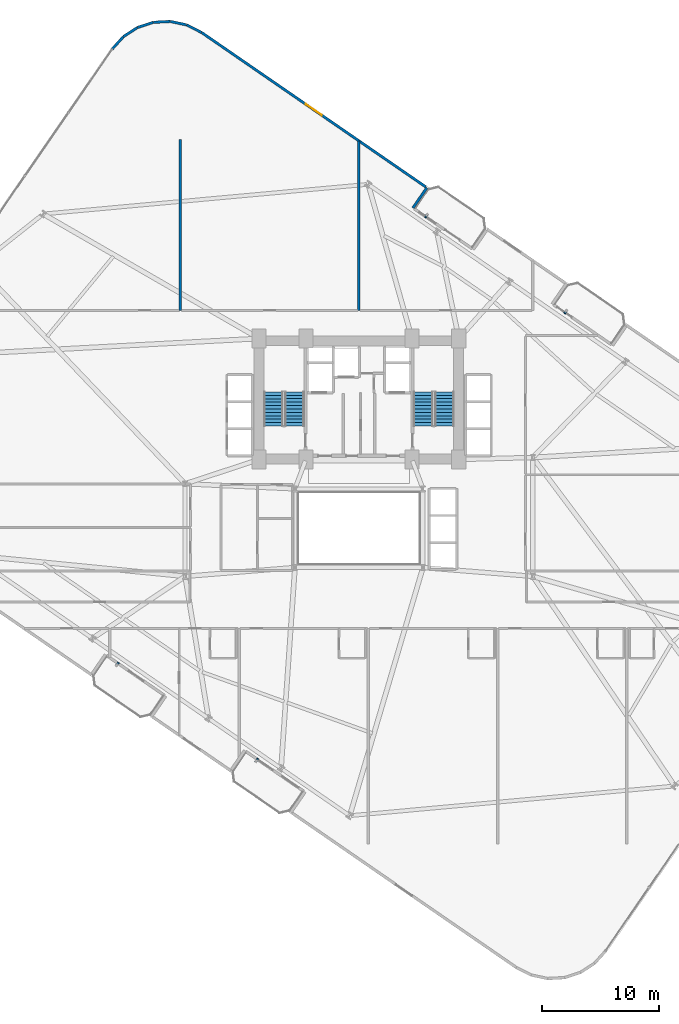
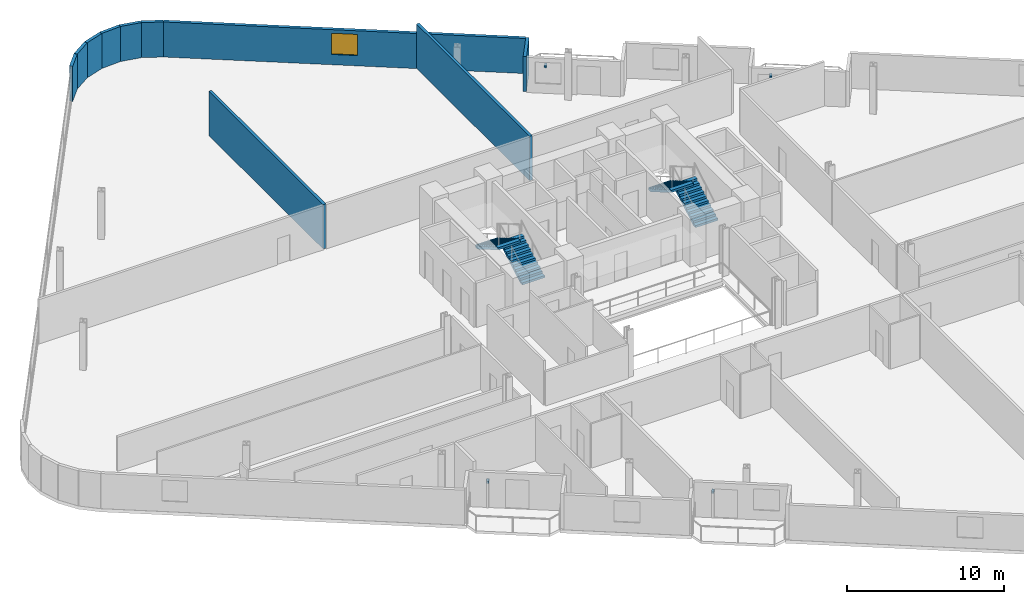
# One storey, part 21 of 24: 10 walls, 4 discrete accessories, 4 stair flights, 1 window, 1 opening, 2 elements without a shape of their own.
"""IFC4 building model written with IfcOpenShell, lengths in metres."""

import ifcopenshell
import ifcopenshell.guid

model = None  # the IFC model being written
_history = None  # IfcOwnerHistory: only IFC2X3 demands one
_inside = {}  # id of a spatial element -> (the spatial element, [elements in it])
_under = {}  # id of a project, library or spatial element -> (it, [spatial elements below it])
_declared = {}  # id of a project -> (the project, [libraries it declares])
_typed = {}  # id of a type object -> (the type object, [elements of that type])
_made_of = {}  # id of a material, layer set ... -> (it, [elements and type objects made of it])


def new_model(schema):
    """Start an empty IFC model of exactly this schema.

    Asked for "IFC4X3", IfcOpenShell would pick the latest addendum, in which some entities
    have other attributes; the version numbers below select the first issue.
    IFC2X3 requires an IfcOwnerHistory on every rooted entity: one is made here for all.
    """
    global model, _history
    if schema == "IFC4X3":
        model = ifcopenshell.file(schema_version=(4, 3, 0, 0))
    else:
        model = ifcopenshell.file(schema=schema)
    _inside.clear()
    _under.clear()
    _declared.clear()
    _typed.clear()
    _made_of.clear()
    _history = None
    if model.schema == "IFC2X3":
        org = make("IfcOrganization", Name="unknown")
        user = make(
            "IfcPersonAndOrganization",
            ThePerson=make("IfcPerson", FamilyName="unknown"),
            TheOrganization=org,
        )
        app = make(
            "IfcApplication",
            ApplicationDeveloper=org,
            Version="unknown",
            ApplicationFullName="unknown",
            ApplicationIdentifier="unknown",
        )
        _history = make(
            "IfcOwnerHistory",
            OwningUser=user,
            OwningApplication=app,
            ChangeAction="ADDED",
            CreationDate=0,
        )
    return model


def make(cls, **values):
    """One entity of the class cls with the attributes given. An attribute that is None is left unset."""
    return model.create_entity(
        cls, **{name: value for name, value in values.items() if value is not None}
    )


def rooted(cls, **values):
    """An entity with a GlobalId (a new one), such as an element, a storey or a relation."""
    return make(cls, GlobalId=ifcopenshell.guid.new(), OwnerHistory=_history, **values)


def si_unit(unit_type, name, prefix=None):
    """IfcSIUnit, for example si_unit("LENGTHUNIT", "METRE", prefix="MILLI")."""
    return make("IfcSIUnit", UnitType=unit_type, Prefix=prefix, Name=name)


def assignment(units):
    """IfcUnitAssignment: the units of a project."""
    return None if units is None else make("IfcUnitAssignment", Units=units)


def point(xyz):
    """IfcCartesianPoint."""
    return None if xyz is None else make("IfcCartesianPoint", Coordinates=xyz)


def direction(xyz):
    """IfcDirection."""
    return None if xyz is None else make("IfcDirection", DirectionRatios=xyz)


def frame(location, z_axis=None, x_axis=None):
    """IfcAxis2Placement3D, a coordinate frame: its origin and axes. An axis left out is left unset."""
    return make(
        "IfcAxis2Placement3D",
        Location=point(location),
        Axis=direction(z_axis),
        RefDirection=direction(x_axis),
    )


def frame_2d(location, x_axis=None):
    """IfcAxis2Placement2D, a coordinate frame in the plane: its origin and x axis."""
    return make(
        "IfcAxis2Placement2D", Location=point(location), RefDirection=direction(x_axis)
    )


def origin():
    """The frame at (0, 0, 0) with its axes left unset."""
    return frame((0.0, 0.0, 0.0))


def origin_2d():
    """The frame at (0, 0) in the plane with its x axis left unset."""
    return frame_2d((0.0, 0.0))


def place(relative_to, where):
    """IfcLocalPlacement: puts the frame where relative to a parent placement (None: the world)."""
    return make(
        "IfcLocalPlacement", PlacementRelTo=relative_to, RelativePlacement=where
    )


def context(
    kind, dimensions, precision=None, world=None, true_north=None, identifier=None
):
    """IfcGeometricRepresentationContext, for example the 3D "Model" context."""
    return make(
        "IfcGeometricRepresentationContext",
        ContextIdentifier=identifier,
        ContextType=kind,
        CoordinateSpaceDimension=dimensions,
        Precision=precision,
        WorldCoordinateSystem=world,
        TrueNorth=true_north,
    )


def subcontext(parent, identifier, kind, view, scale=None):
    """IfcGeometricRepresentationSubContext, for example "Body" below "Model"."""
    return make(
        "IfcGeometricRepresentationSubContext",
        ContextIdentifier=identifier,
        ContextType=kind,
        ParentContext=parent,
        TargetScale=scale,
        TargetView=view,
    )


def project(units=None, contexts=None):
    """IfcProject with its units and contexts."""
    return rooted(
        "IfcProject",
        Name="project",
        RepresentationContexts=contexts,
        UnitsInContext=assignment(units),
    )


def spatial(cls, under=None, at=None, **own):
    """A site, building, storey or space (cls), placed at a placement, below another one or the project."""
    s = rooted(cls, ObjectPlacement=at, **own)
    if under is not None:
        _under.setdefault(under.id(), (under, []))[1].append(s)
    return s


def polyline(points):
    """IfcPolyline through the points."""
    return make("IfcPolyline", Points=[point(p) for p in points])


def profile(cls, at=None, kind="AREA", **sizes):
    """A parametric profile (cls). Its sizes go by their IFC names, for example OverallWidth=200.0."""
    return make(cls, ProfileType=kind, Position=at, **sizes)


def rectangle(**sizes):
    """IfcRectangleProfileDef."""
    return profile("IfcRectangleProfileDef", **sizes)


def outline(outer, holes=None, kind="AREA"):
    """IfcArbitraryClosedProfileDef: a profile drawn as a closed curve; with holes, ...WithVoids."""
    if holes is None:
        return make("IfcArbitraryClosedProfileDef", ProfileType=kind, OuterCurve=outer)
    return make(
        "IfcArbitraryProfileDefWithVoids",
        ProfileType=kind,
        OuterCurve=outer,
        InnerCurves=holes,
    )


def extrude(swept, where, along, depth):
    """IfcExtrudedAreaSolid: the profile swept, set in the frame where, extruded along a direction by depth."""
    return make(
        "IfcExtrudedAreaSolid",
        SweptArea=swept,
        Position=where,
        ExtrudedDirection=direction(along),
        Depth=depth,
    )


def shape(context_of_items, identifier, shape_type, items):
    """IfcShapeRepresentation: the items that make up one representation, for example the "Body"."""
    return make(
        "IfcShapeRepresentation",
        ContextOfItems=context_of_items,
        RepresentationIdentifier=identifier,
        RepresentationType=shape_type,
        Items=items,
    )


def source(mapping_origin, context_of_items, identifier, shape_type, items):
    """IfcRepresentationMap: a shape defined once, which mapped items show again and again."""
    return make(
        "IfcRepresentationMap",
        MappingOrigin=mapping_origin,
        MappedRepresentation=shape(context_of_items, identifier, shape_type, items),
    )


def transform(
    local_origin,
    x_axis=None,
    y_axis=None,
    z_axis=None,
    scale=None,
    scale2=None,
    scale3=None,
    uniform=True,
):
    """IfcCartesianTransformationOperator3D, or its non-uniform kind. x_axis, y_axis, z_axis: its Axis1, 2, 3."""
    if uniform:
        return make(
            "IfcCartesianTransformationOperator3D",
            Axis1=direction(x_axis),
            Axis2=direction(y_axis),
            LocalOrigin=point(local_origin),
            Scale=scale,
            Axis3=direction(z_axis),
        )
    return make(
        "IfcCartesianTransformationOperator3DnonUniform",
        Axis1=direction(x_axis),
        Axis2=direction(y_axis),
        LocalOrigin=point(local_origin),
        Scale=scale,
        Axis3=direction(z_axis),
        Scale2=scale2,
        Scale3=scale3,
    )


def mapped(mapping_source, mapping_target):
    """IfcMappedItem: shows the shape of a source again, moved by a transform."""
    return make(
        "IfcMappedItem", MappingSource=mapping_source, MappingTarget=mapping_target
    )


def material(Name=None, Category=None):
    """IfcMaterial."""
    return make("IfcMaterial", Name=Name, Category=Category)


def layer(
    of_material, thickness, ventilated=None, Name=None, Category=None, Priority=None
):
    """IfcMaterialLayer: one layer of a wall or slab, of a material (None: an air gap)."""
    return make(
        "IfcMaterialLayer",
        Material=of_material,
        LayerThickness=thickness,
        IsVentilated=ventilated,
        Name=Name,
        Category=Category,
        Priority=Priority,
    )


def layer_set(layers, Name=None):
    """IfcMaterialLayerSet."""
    return make("IfcMaterialLayerSet", MaterialLayers=layers, LayerSetName=Name)


def made_of(thing, what):
    """Note that an element or type object is made of a material, layer set ...; save() writes the relation."""
    if what is not None:
        _made_of.setdefault(what.id(), (what, []))[1].append(thing)
    return thing


def type_object(cls, material=None, **own):
    """A type object (cls), such as IfcWallType, which elements share."""
    return made_of(rooted(cls, **own), material)


def element(
    cls,
    number,
    at=None,
    inside=None,
    cuts=None,
    type_object=None,
    material=None,
    context=None,
    identifier="Body",
    shape_type=None,
    held_by="IfcProductDefinitionShape",
    body=None,
    shapes=None,
    **own,
):
    """One element of the class cls, such as IfcWall. Its Tag is "e" and its number.

    at: its placement. inside: the storey or other place that contains it. cuts: it is an
    opening in that element (IfcRelVoidsElement). A single representation is given by context,
    identifier, shape_type and body (its items); several are given by shapes. held_by: the class
    of the entity that holds the representations. save() writes the other relations.
    """
    e = rooted(cls, Tag="e%d" % number, ObjectPlacement=at, **own)
    if body is not None:
        shapes = [shape(context, identifier, shape_type, body)]
    if shapes is not None:
        e.Representation = make(held_by, Representations=shapes)
    if inside is not None:
        _inside.setdefault(inside.id(), (inside, []))[1].append(e)
    if cuts is not None:
        rooted(
            "IfcRelVoidsElement", RelatingBuildingElement=cuts, RelatedOpeningElement=e
        )
    if type_object is not None:
        _typed.setdefault(type_object.id(), (type_object, []))[1].append(e)
    return made_of(e, material)


def fill(opening, filler):
    """IfcRelFillsElement: the door or window that sits in an opening."""
    return rooted(
        "IfcRelFillsElement",
        RelatingOpeningElement=opening,
        RelatedBuildingElement=filler,
    )


def aggregate(whole, parts):
    """IfcRelAggregates: a whole, such as a stair, and the parts it consists of."""
    return rooted("IfcRelAggregates", RelatingObject=whole, RelatedObjects=parts)


def save(model, path):
    """Write the relations noted so far, then the file.

    IfcRelAggregates (storeys below a building ...), IfcRelContainedInSpatialStructure (elements
    in a storey), IfcRelDefinesByType, IfcRelAssociatesMaterial and IfcRelDeclares: one each for
    every whole, place, type object, material and project.
    """
    for whole, parts in _under.values():
        aggregate(whole, parts)
    for where, things in _inside.values():
        rooted(
            "IfcRelContainedInSpatialStructure",
            RelatedElements=things,
            RelatingStructure=where,
        )
    for kind, things in _typed.values():
        rooted("IfcRelDefinesByType", RelatedObjects=things, RelatingType=kind)
    for what, things in _made_of.values():
        rooted("IfcRelAssociatesMaterial", RelatedObjects=things, RelatingMaterial=what)
    for by, libraries in _declared.values():
        rooted("IfcRelDeclares", RelatingContext=by, RelatedDefinitions=libraries)
    model.write(path)


model = new_model("IFC4")

# Units and contexts
model_context = context("Model", 3, precision=1e-05, world=origin(), true_north=direction((0.0, 1.0)))
body_context = subcontext(model_context, "Body", "Model", "MODEL_VIEW")
ifc_project = project(units=[si_unit("LENGTHUNIT", "METRE"), si_unit("AREAUNIT", "SQUARE_METRE"), si_unit("VOLUMEUNIT", "CUBIC_METRE"), si_unit("PLANEANGLEUNIT", "RADIAN"), si_unit("MASSUNIT", "GRAM", prefix="KILO")], contexts=[model_context])

# Site, building, storey
site_placement = place(None, origin())
site = spatial("IfcSite", under=ifc_project, at=site_placement, CompositionType="ELEMENT")
building_placement = place(site_placement, origin())
building = spatial("IfcBuilding", under=site, at=building_placement, Name="Varnelok Gate Tower", CompositionType="ELEMENT")
storey_placement = place(building_placement, frame((0.0, 0.0, 41.800048828125)))
storey = spatial("IfcBuildingStorey", under=building, at=storey_placement, Name="L09", CompositionType="ELEMENT", Elevation=41.800048828125)

# Wall
ifc_material_1 = material(Name="Concrete C45/55", Category="concrete")
ifc_layer_1 = layer(ifc_material_1, 0.219970703125)
ifc_layer_set_1 = layer_set([ifc_layer_1], Name="Concrete C45/55")
wall_type_1 = type_object("IfcWallType", Name="EW-BALC-220", PredefinedType="SOLIDWALL", material=ifc_layer_set_1)
wall_1_placement = place(storey_placement, frame((43.793701171875, 50.161376953125, 0.0), z_axis=(0.0, 0.0, 1.0), x_axis=(0.567352541689, 0.823475010816, 0.0)))
element("IfcWall", 1, at=wall_1_placement, inside=storey, type_object=wall_type_1, Name="L09 Perimeter Facade Closure Wall 31", PredefinedType="SOLIDWALL", context=body_context, shape_type="SweptSolid", body=[
    extrude(rectangle(XDim=2.099853515625, YDim=0.219970703125, at=frame_2d((1.0498046875, 0.0))), origin(), (0.0, 0.0, 1.0), 2.72998046875),
])

# Wall, opening, window
wall_2_placement = place(storey_placement, frame((44.882080078125, 51.961669921875, 0.0), z_axis=(0.0, 0.0, 1.0), x_axis=(-0.823534427573, 0.567266292497, 0.0)))
wall_2 = element("IfcWall", 2, at=wall_2_placement, inside=storey, type_object=wall_type_1, Name="L09 Perimeter Facade Closure Wall 32", PredefinedType="SOLIDWALL", context=body_context, shape_type="SweptSolid", body=[
    extrude(rectangle(XDim=23.147216796875, YDim=0.219970703125, at=frame_2d((11.57373046875, 0.0))), origin(), (0.0, 0.0, 1.0), 2.72998046875),
])
opening_placement = place(wall_2_placement, frame((10.74853515625, 0.0, 0.800048828125)))
opening = element("IfcOpeningElement", 3, at=opening_placement, cuts=wall_2, Name="Opening WN3", PredefinedType="OPENING", context=body_context, shape_type="SweptSolid", body=[
    extrude(rectangle(XDim=1.64990234375, YDim=1.64990234375, at=frame_2d((0.824951171875, 0.824951171875))), frame((0.0, 0.119873046875, 0.0), z_axis=(0.0, -1.0, 0.0), x_axis=(1.0, 0.0, 0.0)), (0.0, 0.0, 1.0), 0.239990234375),
])
ifc_material_2 = material(Name="Low-E Laminated Double Glazing IGU", Category="glass")
window_type = type_object("IfcWindowType", Name="WN-HTL-1650", PartitioningType="SINGLE_PANEL", PredefinedType="WINDOW", material=ifc_material_2)
window_placement = place(opening_placement, origin())
window = element("IfcWindow", 4, at=window_placement, inside=storey, type_object=window_type, Name="L09 Perimeter Vision Window 32", OverallHeight=1.64990234375, OverallWidth=1.64990234375, PartitioningType="SINGLE_PANEL", PredefinedType="WINDOW", context=body_context, shape_type="SweptSolid", body=[
    extrude(rectangle(XDim=1.64990234375, YDim=1.64990234375, at=frame_2d((0.824951171875, 0.824951171875))), frame((0.0, 0.030029296875, 0.0), z_axis=(0.0, -1.0, 0.0), x_axis=(1.0, 0.0, 0.0)), (0.0, 0.0, 1.0), 0.06005859375),
])
fill(opening, window)

# Walls
wall_3_placement = place(storey_placement, frame((25.79736328125, 65.103759765625, 0.0), z_axis=(0.0, 0.0, 1.0), x_axis=(-0.890559109247, 0.454867533394, 0.0)))
element("IfcWall", 5, at=wall_3_placement, inside=storey, type_object=wall_type_1, Name="L09 Perimeter Facade Closure Wall 33", PredefinedType="SOLIDWALL", context=body_context, shape_type="SweptSolid", body=[
    extrude(rectangle(XDim=1.4130859375, YDim=0.219970703125, at=frame_2d((0.70654296875, 0.0))), origin(), (0.0, 0.0, 1.0), 2.72998046875),
])
for number, where, z_axis, x_axis, name in (
    (6, (24.514404296875, 65.751953125, 0.0), (0.0, 0.0, 1.0), (-0.977952168511, 0.208829011645, 0.0), "L09 Perimeter Facade Closure Wall 34"),
    (7, (23.114990234375, 66.044189453125, 0.0), (0.0, 0.0, 1.0), (-0.998685611917, -0.051254741739, 0.0), "L09 Perimeter Facade Closure Wall 35"),
    (8, (21.68798828125, 65.96435546875, 0.0), (0.0, 0.0, 1.0), (-0.951375653596, -0.308033059501, 0.0), "L09 Perimeter Facade Closure Wall 36"),
    (9, (20.330078125, 65.517822265625, 0.0), (0.0, 0.0, 1.0), (-0.839327688057, -0.543625819899, 0.0), "L09 Perimeter Facade Closure Wall 37"),
    (10, (19.1337890625, 64.735107421875, 0.0), (0.0, 0.0, 1.0), (-0.669952842826, -0.742403655964, 0.0), "L09 Perimeter Facade Closure Wall 38"),
):
    element("IfcWall", number, at=place(storey_placement, frame(where, z_axis=z_axis, x_axis=x_axis)), inside=storey, type_object=wall_type_1, Name=name, PredefinedType="SOLIDWALL", context=body_context, shape_type="SweptSolid", body=[
        extrude(rectangle(XDim=1.4052734375, YDim=0.219970703125, at=frame_2d((0.70263671875, 0.0))), origin(), (0.0, 0.0, 1.0), 2.72998046875),
    ])
ifc_material_3 = material(Name="Gypsum Plasterboard Acoustic Partition", Category="gypsum")
ifc_layer_2 = layer(ifc_material_3, 0.205078125)
ifc_layer_set_2 = layer_set([ifc_layer_2], Name="Gypsum Plasterboard Acoustic Partition")
wall_type_2 = type_object("IfcWallType", Name="PW-PARTY-200", PredefinedType="PARTITIONING", material=ifc_layer_set_2)
wall_4_placement = place(storey_placement, frame((24.0, 41.429931640625, 0.0), z_axis=(0.0, 0.0, 1.0), x_axis=(0.0, 1.0, 0.0)))
element("IfcWall", 11, at=wall_4_placement, inside=storey, type_object=wall_type_2, Name="L09 North Party Wall 1", PredefinedType="PARTITIONING", context=body_context, shape_type="SweptSolid", body=[
    extrude(rectangle(XDim=14.570068359375, YDim=0.205078125, at=frame_2d((7.28515625, 0.0))), origin(), (0.0, 0.0, 1.0), 3.449951171875),
])
wall_5_placement = place(storey_placement, frame((39.199951171875, 41.429931640625, 0.0), z_axis=(0.0, 0.0, 1.0), x_axis=(0.0, 1.0, 0.0)))
element("IfcWall", 12, at=wall_5_placement, inside=storey, type_object=wall_type_2, Name="L09 North Party Wall 2", PredefinedType="PARTITIONING", context=body_context, shape_type="SweptSolid", body=[
    extrude(rectangle(XDim=14.42138671875, YDim=0.205078125, at=frame_2d((7.210693359375, 0.0))), origin(), (0.0, 0.0, 1.0), 3.449951171875),
])

# Stair, stair flights
ifc_material_4 = material(Name="Concrete C50/60", Category="concrete")
stair_type = type_object("IfcStairType", Name="STR-CORE-1650", PredefinedType="HALF_TURN_STAIR", material=ifc_material_4)
stair_1_placement = place(storey_placement, origin())
stair_1 = element("IfcStair", 13, at=stair_1_placement, inside=storey, type_object=stair_type, Name="L09 Exit Stair ST-1", PredefinedType="HALF_TURN_STAIR")
stair_flight_type = type_object("IfcStairFlightType", Name="SFL-CORE-1650", PredefinedType="STRAIGHT", material=ifc_material_4)
stair_flight_1_placement = place(storey_placement, frame((33.72509765625, 31.60009765625, 0.0), z_axis=(0.0, 0.0, 1.0), x_axis=(0.0, 1.0, 0.0)))
stair_flight_1 = element("IfcStairFlight", 14, at=stair_flight_1_placement, type_object=stair_flight_type, Name="ST-1 flight 1", NumberOfRisers=11, NumberOfTreads=10, PredefinedType="STRAIGHT", RiserHeight=0.168181818, TreadLength=0.29, context=body_context, shape_type="SweptSolid", body=[
    extrude(outline(polyline([(0.0, 0.0), (0.0, 0.168212890625), (0.2900390625, 0.168212890625), (0.2900390625, 0.33642578125), (0.580078125, 0.33642578125), (0.580078125, 0.504638671875), (0.8701171875, 0.504638671875), (0.8701171875, 0.672607421875), (1.159912109375, 0.672607421875), (1.159912109375, 0.8408203125), (1.449951171875, 0.8408203125), (1.449951171875, 1.009033203125), (1.739990234375, 1.009033203125), (1.739990234375, 1.17724609375), (2.030029296875, 1.17724609375), (2.030029296875, 1.345458984375), (2.320068359375, 1.345458984375), (2.320068359375, 1.513671875), (2.610107421875, 1.513671875), (2.610107421875, 1.681884765625), (2.89990234375, 1.681884765625), (2.89990234375, 1.85009765625), (2.89990234375, 1.508544921875), (0.298828125, 0.0), (0.0, 0.0)])), frame((0.0, 0.824951171875, 0.0), z_axis=(0.0, -1.0, 0.0), x_axis=(1.0, 0.0, 0.0)), (0.0, 0.0, 1.0), 1.64990234375),
])
stair_flight_2_placement = place(storey_placement, frame((31.925048828125, 34.5, 1.849853515625), z_axis=(0.0, 0.0, 1.0), x_axis=(0.0, -1.0, 0.0)))
stair_flight_2 = element("IfcStairFlight", 15, at=stair_flight_2_placement, type_object=stair_flight_type, Name="ST-1 flight 2", NumberOfRisers=11, NumberOfTreads=10, PredefinedType="STRAIGHT", RiserHeight=0.168181818, TreadLength=0.29, context=body_context, shape_type="SweptSolid", body=[
    extrude(outline(polyline([(0.0, 0.0), (0.0, 0.168212890625), (0.2900390625, 0.168212890625), (0.2900390625, 0.33642578125), (0.580078125, 0.33642578125), (0.580078125, 0.504638671875), (0.8701171875, 0.504638671875), (0.8701171875, 0.672607421875), (1.159912109375, 0.672607421875), (1.159912109375, 0.8408203125), (1.449951171875, 0.8408203125), (1.449951171875, 1.009033203125), (1.739990234375, 1.009033203125), (1.739990234375, 1.17724609375), (2.030029296875, 1.17724609375), (2.030029296875, 1.345458984375), (2.320068359375, 1.345458984375), (2.320068359375, 1.513671875), (2.610107421875, 1.513671875), (2.610107421875, 1.681884765625), (2.89990234375, 1.681884765625), (2.89990234375, 1.85009765625), (2.89990234375, 1.508544921875), (0.298828125, 0.0), (0.0, 0.0)])), frame((0.0, 0.824951171875, 0.0), z_axis=(0.0, -1.0, 0.0), x_axis=(1.0, 0.0, 0.0)), (0.0, 0.0, 1.0), 1.64990234375),
])
aggregate(stair_1, [stair_flight_1, stair_flight_2])

stair_2_placement = place(storey_placement, origin())
stair_2 = element("IfcStair", 16, at=stair_2_placement, inside=storey, type_object=stair_type, Name="L09 Exit Stair ST-2", PredefinedType="HALF_TURN_STAIR")
stair_flight_3_placement = place(storey_placement, frame((46.47509765625, 31.60009765625, 0.0), z_axis=(0.0, 0.0, 1.0), x_axis=(0.0, 1.0, 0.0)))
stair_flight_3 = element("IfcStairFlight", 17, at=stair_flight_3_placement, type_object=stair_flight_type, Name="ST-2 flight 1", NumberOfRisers=11, NumberOfTreads=10, PredefinedType="STRAIGHT", RiserHeight=0.168181818, TreadLength=0.29, context=body_context, shape_type="SweptSolid", body=[
    extrude(outline(polyline([(0.0, 0.0), (0.0, 0.168212890625), (0.2900390625, 0.168212890625), (0.2900390625, 0.33642578125), (0.580078125, 0.33642578125), (0.580078125, 0.504638671875), (0.8701171875, 0.504638671875), (0.8701171875, 0.672607421875), (1.159912109375, 0.672607421875), (1.159912109375, 0.8408203125), (1.449951171875, 0.8408203125), (1.449951171875, 1.009033203125), (1.739990234375, 1.009033203125), (1.739990234375, 1.17724609375), (2.030029296875, 1.17724609375), (2.030029296875, 1.345458984375), (2.320068359375, 1.345458984375), (2.320068359375, 1.513671875), (2.610107421875, 1.513671875), (2.610107421875, 1.681884765625), (2.89990234375, 1.681884765625), (2.89990234375, 1.85009765625), (2.89990234375, 1.508544921875), (0.298828125, 0.0), (0.0, 0.0)])), frame((0.0, 0.824951171875, 0.0), z_axis=(0.0, -1.0, 0.0), x_axis=(1.0, 0.0, 0.0)), (0.0, 0.0, 1.0), 1.64990234375),
])
stair_flight_4_placement = place(storey_placement, frame((44.675048828125, 34.5, 1.849853515625), z_axis=(0.0, 0.0, 1.0), x_axis=(0.0, -1.0, 0.0)))
stair_flight_4 = element("IfcStairFlight", 18, at=stair_flight_4_placement, type_object=stair_flight_type, Name="ST-2 flight 2", NumberOfRisers=11, NumberOfTreads=10, PredefinedType="STRAIGHT", RiserHeight=0.168181818, TreadLength=0.29, context=body_context, shape_type="SweptSolid", body=[
    extrude(outline(polyline([(0.0, 0.0), (0.0, 0.168212890625), (0.2900390625, 0.168212890625), (0.2900390625, 0.33642578125), (0.580078125, 0.33642578125), (0.580078125, 0.504638671875), (0.8701171875, 0.504638671875), (0.8701171875, 0.672607421875), (1.159912109375, 0.672607421875), (1.159912109375, 0.8408203125), (1.449951171875, 0.8408203125), (1.449951171875, 1.009033203125), (1.739990234375, 1.009033203125), (1.739990234375, 1.17724609375), (2.030029296875, 1.17724609375), (2.030029296875, 1.345458984375), (2.320068359375, 1.345458984375), (2.320068359375, 1.513671875), (2.610107421875, 1.513671875), (2.610107421875, 1.681884765625), (2.89990234375, 1.681884765625), (2.89990234375, 1.85009765625), (2.89990234375, 1.508544921875), (0.298828125, 0.0), (0.0, 0.0)])), frame((0.0, 0.824951171875, 0.0), z_axis=(0.0, -1.0, 0.0), x_axis=(1.0, 0.0, 0.0)), (0.0, 0.0, 1.0), 1.64990234375),
])
aggregate(stair_2, [stair_flight_3, stair_flight_4])

# Discrete accessories
ifc_material_5 = material(Name="Structural Steel ASTM A500 Grade C", Category="steel")
discrete_accessory_type = type_object("IfcDiscreteAccessoryType", Name="ACC-BAGUETTE-BRK", PredefinedType="BRACKET", material=ifc_material_5)
shared_shape = source(origin(), body_context, "Body", "SweptSolid", [
    extrude(rectangle(XDim=0.159912109375, YDim=0.340087890625, at=origin_2d()), origin(), (0.0, 0.0, 1.0), 0.139892578125),
])
for number, where, z_axis, x_axis, name in (
    (19, (18.64453125, 11.32421875, 1.97998046875), (0.0, 0.0, 1.0), (0.823532597628, -0.567268949127, 0.0), "L09 Terracotta Baguette Bracket 1.1"),
    (20, (30.50341796875, 3.155517578125, 1.97998046875), (0.0, 0.0, 1.0), (0.823532597628, -0.567268949127, 0.0), "L09 Terracotta Baguette Bracket 2.1"),
    (21, (44.931884765625, 49.48681640625, 1.97998046875), (0.0, 0.0, 1.0), (0.823532597628, -0.567268949127, 0.0), "L09 Terracotta Baguette Bracket 3.1"),
    (22, (56.790771484375, 41.318115234375, 1.97998046875), (0.0, 0.0, 1.0), (0.823532597628, -0.567268949127, 0.0), "L09 Terracotta Baguette Bracket 4.1"),
):
    element("IfcDiscreteAccessory", number, at=place(storey_placement, frame(where, z_axis=z_axis, x_axis=x_axis)), inside=storey, type_object=discrete_accessory_type, Name=name, PredefinedType="BRACKET", context=body_context, shape_type="MappedRepresentation", body=[
        mapped(shared_shape, transform((0.0, 0.0, 0.0), scale=1.0)),
    ])

save(model, "model.ifc")
